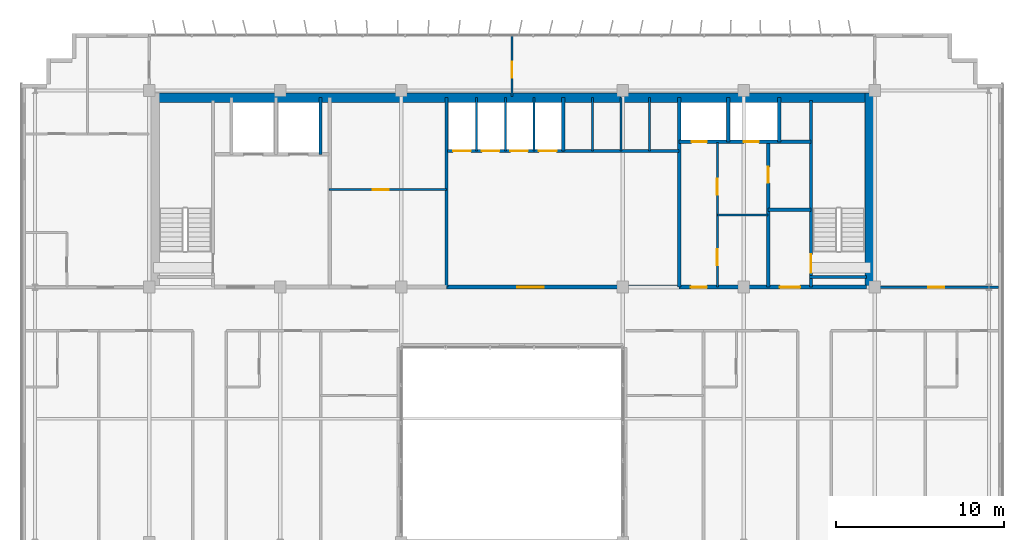
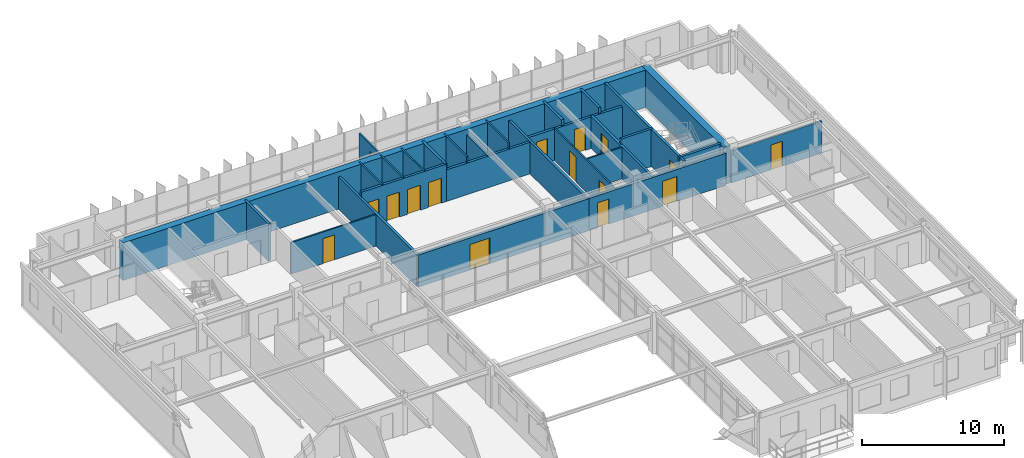
# One storey, part 34 of 37: 28 walls, 16 doors, 16 openings.
"""IFC4 building model written with IfcOpenShell, lengths in metres."""

from ifc_helpers import new_model, si_unit, direction, frame, frame_2d, origin, place, context, subcontext, project, spatial, rectangle, extrude, source, transform, mapped, material, layer, layer_set, type_object, element, fill, save


model = new_model("IFC4")

# Units and contexts
model_context = context("Model", 3, precision=1e-05, world=origin(), true_north=direction((0.0, 1.0)))
body_context = subcontext(model_context, "Body", "Model", "MODEL_VIEW")
ifc_project = project(units=[si_unit("LENGTHUNIT", "METRE"), si_unit("AREAUNIT", "SQUARE_METRE"), si_unit("VOLUMEUNIT", "CUBIC_METRE"), si_unit("PLANEANGLEUNIT", "RADIAN"), si_unit("MASSUNIT", "GRAM", prefix="KILO")], contexts=[model_context])

# Site, building, storey
site_placement = place(None, origin())
site = spatial("IfcSite", under=ifc_project, at=site_placement, CompositionType="ELEMENT")
building_placement = place(site_placement, origin())
building = spatial("IfcBuilding", under=site, at=building_placement, Name="Trelvane Seafront Commons", CompositionType="ELEMENT")
storey_placement = place(building_placement, frame((0.0, 0.0, 201.300048828125)))
storey = spatial("IfcBuildingStorey", under=building, at=storey_placement, Name="L52", CompositionType="ELEMENT", Elevation=201.300048828125)

# Wall, opening, door
ifc_material_1 = material(Name="Concrete C40/50", Category="concrete")
ifc_layer_1 = layer(ifc_material_1, 0.199951171875, Name="ARCH-WALL-FIRE200")
ifc_layer_set_1 = layer_set([ifc_layer_1], Name="Concrete C40/50")
wall_type_1 = type_object("IfcWallType", Name="ARCH-WALL-FIRE200", PredefinedType="PARTITIONING", material=ifc_layer_set_1)
wall_1_placement = place(storey_placement, frame((52.449951171875, 33.39990234375, 0.0), z_axis=(0.0, 0.0, 1.0), x_axis=(0.0, 1.0, 0.0)))
wall_1 = element("IfcWall", 1, at=wall_1_placement, inside=storey, type_object=wall_type_1, Name="W-L52-ST2V-W-031", PredefinedType="PARTITIONING", context=body_context, shape_type="SweptSolid", body=[
    extrude(rectangle(XDim=8.650146484375, YDim=0.199951171875, at=frame_2d((4.3251953125, 0.0))), origin(), (0.0, 0.0, 1.0), 2.77001953125),
])
opening_1_placement = place(wall_1_placement, frame((6.199951171875, 0.0, 0.0)))
opening_1 = element("IfcOpeningElement", 2, at=opening_1_placement, cuts=wall_1, Name="Opening FD-L52-15", PredefinedType="OPENING", context=body_context, shape_type="SweptSolid", body=[
    extrude(rectangle(XDim=0.949951171875, YDim=2.14990234375, at=frame_2d((0.47509765625, 1.074951171875))), frame((0.0, 0.10986328125, 0.0), z_axis=(0.0, -1.0, 0.0), x_axis=(1.0, 0.0, 0.0)), (0.0, 0.0, 1.0), 0.219970703125),
])
ifc_material_2 = material(Name="Powder-coated aluminium frame", Category="aluminium")
door_type_1 = type_object("IfcDoorType", Name="ARCH-DR-FD60-950", OperationType="NOTDEFINED", PredefinedType="DOOR", material=ifc_material_2)
shared_shape_1 = source(origin(), body_context, "Body", "SweptSolid", [
    extrude(rectangle(XDim=0.949951171875, YDim=2.14990234375, at=frame_2d((0.47509765625, 1.074951171875))), frame((0.0, 0.02490234375, 0.0), z_axis=(0.0, -1.0, 0.0), x_axis=(1.0, 0.0, 0.0)), (0.0, 0.0, 1.0), 0.050048828125),
])
door_1_placement = place(opening_1_placement, origin())
door_1 = element("IfcDoor", 3, at=door_1_placement, inside=storey, type_object=door_type_1, Name="L52 Cleaner Store Door", OperationType="SINGLE_SWING_LEFT", OverallHeight=2.14990234375, OverallWidth=0.949951171875, PredefinedType="DOOR", context=body_context, shape_type="MappedRepresentation", body=[
    mapped(shared_shape_1, transform((0.0, 0.0, 0.0), x_axis=(1.0, 0.0, 0.0), y_axis=(0.0, 1.0, 0.0), z_axis=(0.0, 0.0, 1.0), scale=1.0)),
])
fill(opening_1, door_1)

# Wall
wall_2_placement = place(storey_placement, frame((52.449951171875, 38.0, 0.0), z_axis=(0.0, 0.0, 1.0), x_axis=(1.0, 0.0, 0.0)))
element("IfcWall", 4, at=wall_2_placement, inside=storey, type_object=wall_type_1, Name="W-L52-ST2V-N-032", PredefinedType="PARTITIONING", context=body_context, shape_type="SweptSolid", body=[
    extrude(rectangle(XDim=2.550048828125, YDim=0.199951171875, at=frame_2d((1.27490234375, 0.0))), origin(), (0.0, 0.0, 1.0), 3.219970703125),
])

# Wall, opening, door
ifc_layer_2 = layer(ifc_material_1, 0.25, Name="ARCH-WALL-FIRE250")
ifc_layer_set_2 = layer_set([ifc_layer_2], Name="Concrete C40/50")
wall_type_2 = type_object("IfcWallType", Name="ARCH-WALL-FIRE250", PredefinedType="PARTITIONING", material=ifc_layer_set_2)
wall_3_placement = place(storey_placement, frame((33.300048828125, 33.39990234375, 0.0), z_axis=(0.0, 0.0, 1.0), x_axis=(1.0, 0.0, 0.0)))
wall_3 = element("IfcWall", 5, at=wall_3_placement, inside=storey, type_object=wall_type_2, Name="W-L52-CS-PAX-027", PredefinedType="PARTITIONING", context=body_context, shape_type="SweptSolid", body=[
    extrude(rectangle(XDim=13.849853515625, YDim=0.25, at=frame_2d((6.9248046875, 0.0))), origin(), (0.0, 0.0, 1.0), 2.77001953125),
])
opening_2_placement = place(wall_3_placement, frame((4.199951171875, 0.0, 0.0)))
opening_2 = element("IfcOpeningElement", 6, at=opening_2_placement, cuts=wall_3, Name="Opening FD-L52-12", PredefinedType="OPENING", context=body_context, shape_type="SweptSolid", body=[
    extrude(rectangle(XDim=1.60009765625, YDim=2.199951171875, at=frame_2d((0.800048828125, 1.10009765625))), frame((0.0, 0.135009765625, 0.0), z_axis=(0.0, -1.0, 0.0), x_axis=(1.0, 0.0, 0.0)), (0.0, 0.0, 1.0), 0.27001953125),
])
door_type_2 = type_object("IfcDoorType", Name="ARCH-DR-FD60-1600", OperationType="DOUBLE_DOOR_SINGLE_SWING", PredefinedType="DOOR", material=ifc_material_2)
shared_shape_2 = source(origin(), body_context, "Body", "SweptSolid", [
    extrude(rectangle(XDim=1.60009765625, YDim=2.199951171875, at=frame_2d((0.800048828125, 1.10009765625))), frame((0.0, 0.02490234375, 0.0), z_axis=(0.0, -1.0, 0.0), x_axis=(1.0, 0.0, 0.0)), (0.0, 0.0, 1.0), 0.050048828125),
])
door_2_placement = place(opening_2_placement, origin())
door_2 = element("IfcDoor", 7, at=door_2_placement, inside=storey, type_object=door_type_2, Name="L52 Passenger Lift Lobby Double Door", OperationType="DOUBLE_DOOR_SINGLE_SWING", OverallHeight=2.199951171875, OverallWidth=1.60009765625, PredefinedType="DOOR", context=body_context, shape_type="MappedRepresentation", body=[
    mapped(shared_shape_2, transform((0.0, 0.0, 0.0), x_axis=(1.0, 0.0, 0.0), y_axis=(0.0, 1.0, 0.0), z_axis=(0.0, 0.0, 1.0), scale=1.0)),
])
fill(opening_2, door_2)

# Wall, openings, doors
wall_4_placement = place(storey_placement, frame((47.14990234375, 33.39990234375, 0.0), z_axis=(0.0, 0.0, 1.0), x_axis=(1.0, 0.0, 0.0)))
wall_4 = element("IfcWall", 8, at=wall_4_placement, inside=storey, type_object=wall_type_2, Name="W-L52-CS-EAST-035", PredefinedType="PARTITIONING", context=body_context, shape_type="SweptSolid", body=[
    extrude(rectangle(XDim=11.150146484375, YDim=0.25, at=frame_2d((5.5751953125, 0.0))), origin(), (0.0, 0.0, 1.0), 2.77001953125),
])
opening_3_placement = place(wall_4_placement, frame((0.699951171875, 0.0, 0.0)))
opening_3 = element("IfcOpeningElement", 9, at=opening_3_placement, cuts=wall_4, Name="Opening FD-L52-18", PredefinedType="OPENING", context=body_context, shape_type="SweptSolid", body=[
    extrude(rectangle(XDim=0.949951171875, YDim=2.14990234375, at=frame_2d((0.47509765625, 1.074951171875))), frame((0.0, 0.135009765625, 0.0), z_axis=(0.0, -1.0, 0.0), x_axis=(1.0, 0.0, 0.0)), (0.0, 0.0, 1.0), 0.27001953125),
])
opening_4_placement = place(wall_4_placement, frame((6.0, 0.0, 0.0)))
opening_4 = element("IfcOpeningElement", 10, at=opening_4_placement, cuts=wall_4, Name="Opening FD-L52-19", PredefinedType="OPENING", context=body_context, shape_type="SweptSolid", body=[
    extrude(rectangle(XDim=1.199951171875, YDim=2.14990234375, at=frame_2d((0.60009765625, 1.074951171875))), frame((0.0, 0.135009765625, 0.0), z_axis=(0.0, -1.0, 0.0), x_axis=(1.0, 0.0, 0.0)), (0.0, 0.0, 1.0), 0.27001953125),
])
door_3_placement = place(opening_3_placement, origin())
door_3 = element("IfcDoor", 11, at=door_3_placement, inside=storey, type_object=door_type_1, Name="L52 Core Service Lobby Door", OperationType="SINGLE_SWING_RIGHT", OverallHeight=2.14990234375, OverallWidth=0.949951171875, PredefinedType="DOOR", context=body_context, shape_type="MappedRepresentation", body=[
    mapped(shared_shape_1, transform((0.0, 0.0, 0.0), x_axis=(1.0, 0.0, 0.0), y_axis=(0.0, 1.0, 0.0), z_axis=(0.0, 0.0, 1.0), scale=1.0)),
])
fill(opening_3, door_3)
door_type_3 = type_object("IfcDoorType", Name="ARCH-DR-FD60-1200", OperationType="NOTDEFINED", PredefinedType="DOOR", material=ifc_material_2)
shared_shape_3 = source(origin(), body_context, "Body", "SweptSolid", [
    extrude(rectangle(XDim=1.199951171875, YDim=2.14990234375, at=frame_2d((0.60009765625, 1.074951171875))), frame((0.0, 0.02490234375, 0.0), z_axis=(0.0, -1.0, 0.0), x_axis=(1.0, 0.0, 0.0)), (0.0, 0.0, 1.0), 0.050048828125),
])
door_4_placement = place(opening_4_placement, origin())
door_4 = element("IfcDoor", 12, at=door_4_placement, inside=storey, type_object=door_type_3, Name="L52 East Stair Vestibule Fire Door", OperationType="SINGLE_SWING_LEFT", OverallHeight=2.14990234375, OverallWidth=1.199951171875, PredefinedType="DOOR", context=body_context, shape_type="MappedRepresentation", body=[
    mapped(shared_shape_3, transform((0.0, 0.0, 0.0), x_axis=(1.0, 0.0, 0.0), y_axis=(0.0, 1.0, 0.0), z_axis=(0.0, 0.0, 1.0), scale=1.0)),
])
fill(opening_4, door_4)

# Wall, opening, door
ifc_material_3 = material(Name="Gypsum Drywall Acoustic Partition")
ifc_layer_3 = layer(ifc_material_3, 0.1201171875, Name="ARCH-WALL-PART120")
ifc_layer_set_3 = layer_set([ifc_layer_3], Name="Gypsum Drywall Acoustic Partition")
wall_type_3 = type_object("IfcWallType", Name="ARCH-WALL-PART120", PredefinedType="PARTITIONING", material=ifc_layer_set_3)
wall_5_placement = place(storey_placement, frame((26.300048828125, 39.199951171875, 0.0), z_axis=(0.0, 0.0, 1.0), x_axis=(1.0, 0.0, 0.0)))
wall_5 = element("IfcWall", 13, at=wall_5_placement, inside=storey, type_object=wall_type_3, Name="W-L52-FREED-PL-MID-014", PredefinedType="PARTITIONING", context=body_context, shape_type="SweptSolid", body=[
    extrude(rectangle(XDim=7.0, YDim=0.1201171875, at=frame_2d((3.5, 0.0))), origin(), (0.0, 0.0, 1.0), 2.719970703125),
])
opening_5_placement = place(wall_5_placement, frame((2.60009765625, 0.0, 0.0)))
opening_5 = element("IfcOpeningElement", 14, at=opening_5_placement, cuts=wall_5, Name="Opening D-L52-06", PredefinedType="OPENING", context=body_context, shape_type="SweptSolid", body=[
    extrude(rectangle(XDim=0.949951171875, YDim=2.14990234375, at=frame_2d((0.47509765625, 1.074951171875))), frame((0.0, 0.070068359375, 0.0), z_axis=(0.0, -1.0, 0.0), x_axis=(1.0, 0.0, 0.0)), (0.0, 0.0, 1.0), 0.14013671875),
])
ifc_material_4 = material(Name="Acoustic timber door leaf", Category="wood")
door_type_4 = type_object("IfcDoorType", Name="ARCH-DR-INT950", OperationType="NOTDEFINED", PredefinedType="DOOR", material=ifc_material_4)
door_5_placement = place(opening_5_placement, origin())
door_5 = element("IfcDoor", 15, at=door_5_placement, inside=storey, type_object=door_type_4, Name="L52 Housekeeping Store Door", OperationType="SINGLE_SWING_RIGHT", OverallHeight=2.14990234375, OverallWidth=0.949951171875, PredefinedType="DOOR", context=body_context, shape_type="MappedRepresentation", body=[
    mapped(shared_shape_1, transform((0.0, 0.0, 0.0), x_axis=(1.0, 0.0, 0.0), y_axis=(0.0, 1.0, 0.0), z_axis=(0.0, 0.0, 1.0), scale=1.0)),
])
fill(opening_5, door_5)

# Walls
for number, where, z_axis, x_axis, name in (
    (16, (35.10009765625, 41.5, 0.0), (0.0, 0.0, 1.0), (0.0, 1.0, 0.0), "W-L52-PM-DIV1-017"),
    (17, (36.800048828125, 41.5, 0.0), (0.0, 0.0, 1.0), (0.0, 1.0, 0.0), "W-L52-PM-DIV2-018"),
    (18, (38.5, 41.5, 0.0), (0.0, 0.0, 1.0), (0.0, 1.0, 0.0), "W-L52-PM-DIV3-019"),
    (19, (42.0, 41.5, 0.0), (0.0, 0.0, 1.0), (0.0, 1.0, 0.0), "W-L52-PH-DIV1-022"),
):
    element("IfcWall", number, at=place(storey_placement, frame(where, z_axis=z_axis, x_axis=x_axis)), inside=storey, type_object=wall_type_3, Name=name, PredefinedType="PARTITIONING", context=body_context, shape_type="SweptSolid", body=[
        extrude(rectangle(XDim=3.199951171875, YDim=0.1201171875, at=frame_2d((1.60009765625, 0.0))), origin(), (0.0, 0.0, 1.0), 3.219970703125),
    ])
wall_6_placement = place(storey_placement, frame((43.699951171875, 41.5, 0.0), z_axis=(0.0, 0.0, 1.0), x_axis=(0.0, 1.0, 0.0)))
element("IfcWall", 20, at=wall_6_placement, inside=storey, type_object=wall_type_3, Name="W-L52-PH-DIV2-023", PredefinedType="PARTITIONING", context=body_context, shape_type="SweptSolid", body=[
    extrude(rectangle(XDim=3.199951171875, YDim=0.1201171875, at=frame_2d((1.60009765625, 0.0))), origin(), (0.0, 0.0, 1.0), 2.719970703125),
])
wall_7_placement = place(storey_placement, frame((45.39990234375, 41.5, 0.0), z_axis=(0.0, 0.0, 1.0), x_axis=(0.0, 1.0, 0.0)))
element("IfcWall", 21, at=wall_7_placement, inside=storey, type_object=wall_type_3, Name="W-L52-PH-DIV3-024", PredefinedType="PARTITIONING", context=body_context, shape_type="SweptSolid", body=[
    extrude(rectangle(XDim=3.199951171875, YDim=0.1201171875, at=frame_2d((1.60009765625, 0.0))), origin(), (0.0, 0.0, 1.0), 3.219970703125),
])

# Wall, openings, doors
wall_8_placement = place(storey_placement, frame((49.419921875, 33.39990234375, 0.0), z_axis=(0.0, 0.0, 1.0), x_axis=(0.0, 1.0, 0.0)))
wall_8 = element("IfcWall", 22, at=wall_8_placement, inside=storey, type_object=wall_type_3, Name="W-L52-CYC0-V-033", PredefinedType="PARTITIONING", context=body_context, shape_type="SweptSolid", body=[
    extrude(rectangle(XDim=8.60009765625, YDim=0.1201171875, at=frame_2d((4.300048828125, 0.0))), origin(), (0.0, 0.0, 1.0), 2.77001953125),
])
opening_6_placement = place(wall_8_placement, frame((1.300048828125, 0.0, 0.0)))
opening_6 = element("IfcOpeningElement", 23, at=opening_6_placement, cuts=wall_8, Name="Opening D-L52-16", PredefinedType="OPENING", context=body_context, shape_type="SweptSolid", body=[
    extrude(rectangle(XDim=0.949951171875, YDim=2.14990234375, at=frame_2d((0.47509765625, 1.074951171875))), frame((0.0, 0.070068359375, 0.0), z_axis=(0.0, -1.0, 0.0), x_axis=(1.0, 0.0, 0.0)), (0.0, 0.0, 1.0), 0.14013671875),
])
opening_7_placement = place(wall_8_placement, frame((5.5, 0.0, 0.0)))
opening_7 = element("IfcOpeningElement", 24, at=opening_7_placement, cuts=wall_8, Name="Opening D-L52-17", PredefinedType="OPENING", context=body_context, shape_type="SweptSolid", body=[
    extrude(rectangle(XDim=0.949951171875, YDim=2.14990234375, at=frame_2d((0.47509765625, 1.074951171875))), frame((0.0, 0.070068359375, 0.0), z_axis=(0.0, -1.0, 0.0), x_axis=(1.0, 0.0, 0.0)), (0.0, 0.0, 1.0), 0.14013671875),
])
door_6_placement = place(opening_6_placement, origin())
door_6 = element("IfcDoor", 25, at=door_6_placement, inside=storey, type_object=door_type_4, Name="L52 Accessible WC Door", OperationType="SINGLE_SWING_RIGHT", OverallHeight=2.14990234375, OverallWidth=0.949951171875, PredefinedType="DOOR", context=body_context, shape_type="MappedRepresentation", body=[
    mapped(shared_shape_1, transform((0.0, 0.0, 0.0), x_axis=(1.0, 0.0, 0.0), y_axis=(0.0, 1.0, 0.0), z_axis=(0.0, 0.0, 1.0), scale=1.0)),
])
fill(opening_6, door_6)
door_7_placement = place(opening_7_placement, origin())
door_7 = element("IfcDoor", 26, at=door_7_placement, inside=storey, type_object=door_type_4, Name="L52 Common WC Door", OperationType="SINGLE_SWING_LEFT", OverallHeight=2.14990234375, OverallWidth=0.949951171875, PredefinedType="DOOR", context=body_context, shape_type="MappedRepresentation", body=[
    mapped(shared_shape_1, transform((0.0, 0.0, 0.0), x_axis=(1.0, 0.0, 0.0), y_axis=(0.0, 1.0, 0.0), z_axis=(0.0, 0.0, 1.0), scale=1.0)),
])
fill(opening_7, door_7)

# Wall
wall_9_placement = place(storey_placement, frame((49.419921875, 37.679931640625, 0.0), z_axis=(0.0, 0.0, 1.0), x_axis=(1.0, 0.0, 0.0)))
element("IfcWall", 27, at=wall_9_placement, inside=storey, type_object=wall_type_3, Name="W-L52-CYC0-H-034", PredefinedType="PARTITIONING", context=body_context, shape_type="SweptSolid", body=[
    extrude(rectangle(XDim=3.030029296875, YDim=0.1201171875, at=frame_2d((1.51513671875, 0.0))), origin(), (0.0, 0.0, 1.0), 2.719970703125),
])

# Wall, opening, door
wall_10_placement = place(storey_placement, frame((37.199951171875, 44.75, 0.0), z_axis=(0.0, 0.0, 1.0), x_axis=(0.0, 1.0, 0.0)))
wall_10 = element("IfcWall", 28, at=wall_10_placement, inside=storey, type_object=wall_type_3, Name="W-L52-N-MID-DV-043", PredefinedType="PARTITIONING", context=body_context, shape_type="SweptSolid", body=[
    extrude(rectangle(XDim=3.610107421875, YDim=0.1201171875, at=frame_2d((1.80517578125, 0.0))), origin(), (0.0, 0.0, 1.0), 2.77001953125),
])
opening_8_placement = place(wall_10_placement, frame((1.10009765625, 0.0, 0.0)))
opening_8 = element("IfcOpeningElement", 29, at=opening_8_placement, cuts=wall_10, Name="Opening D-L52-25", PredefinedType="OPENING", context=body_context, shape_type="SweptSolid", body=[
    extrude(rectangle(XDim=0.949951171875, YDim=2.14990234375, at=frame_2d((0.47509765625, 1.074951171875))), frame((0.0, 0.070068359375, 0.0), z_axis=(0.0, -1.0, 0.0), x_axis=(1.0, 0.0, 0.0)), (0.0, 0.0, 1.0), 0.14013671875),
])
door_8_placement = place(opening_8_placement, origin())
door_8 = element("IfcDoor", 30, at=door_8_placement, inside=storey, type_object=door_type_4, Name="L52 Door 25", OperationType="SINGLE_SWING_LEFT", OverallHeight=2.14990234375, OverallWidth=0.949951171875, PredefinedType="DOOR", context=body_context, shape_type="MappedRepresentation", body=[
    mapped(shared_shape_1, transform((0.0, 0.0, 0.0), x_axis=(1.0, 0.0, 0.0), y_axis=(0.0, 1.0, 0.0), z_axis=(0.0, 0.0, 1.0), scale=1.0)),
])
fill(opening_8, door_8)

ifc_layer_4 = layer(ifc_material_3, 0.14990234375, Name="ARCH-WALL-PART150")
ifc_layer_set_4 = layer_set([ifc_layer_4], Name="Gypsum Drywall Acoustic Partition")
wall_type_4 = type_object("IfcWallType", Name="ARCH-WALL-PART150", PredefinedType="PARTITIONING", material=ifc_layer_set_4)
wall_11_placement = place(storey_placement, frame((58.800048828125, 33.39990234375, 0.0), z_axis=(0.0, 0.0, 1.0), x_axis=(1.0, 0.0, 0.0)))
wall_11 = element("IfcWall", 31, at=wall_11_placement, inside=storey, type_object=wall_type_4, Name="W-L52-NE-ENT-042", PredefinedType="PARTITIONING", context=body_context, shape_type="SweptSolid", body=[
    extrude(rectangle(XDim=7.349853515625, YDim=0.14990234375, at=frame_2d((3.6748046875, 0.0))), origin(), (0.0, 0.0, 1.0), 2.77001953125),
])
opening_9_placement = place(wall_11_placement, frame((3.19189453125, 0.0, 0.0)))
opening_9 = element("IfcOpeningElement", 32, at=opening_9_placement, cuts=wall_11, Name="Opening FD-L52-24", PredefinedType="OPENING", context=body_context, shape_type="SweptSolid", body=[
    extrude(rectangle(XDim=0.949951171875, YDim=2.14990234375, at=frame_2d((0.47509765625, 1.074951171875))), frame((0.0, 0.0849609375, 0.0), z_axis=(0.0, -1.0, 0.0), x_axis=(1.0, 0.0, 0.0)), (0.0, 0.0, 1.0), 0.169921875),
])
door_9_placement = place(opening_9_placement, origin())
door_9 = element("IfcDoor", 33, at=door_9_placement, inside=storey, type_object=door_type_1, Name="L52 NE Suite Entrance Door", OperationType="SINGLE_SWING_RIGHT", OverallHeight=2.14990234375, OverallWidth=0.949951171875, PredefinedType="DOOR", context=body_context, shape_type="MappedRepresentation", body=[
    mapped(shared_shape_1, transform((0.0, 0.0, 0.0), x_axis=(1.0, 0.0, 0.0), y_axis=(0.0, 1.0, 0.0), z_axis=(0.0, 0.0, 1.0), scale=1.0)),
])
fill(opening_9, door_9)

# Walls
ifc_layer_5 = layer(ifc_material_1, 0.199951171875, Name="ARCH-WALL-SHAFT200")
ifc_layer_set_5 = layer_set([ifc_layer_5], Name="Concrete C40/50")
wall_type_5 = type_object("IfcWallType", Name="ARCH-WALL-SHAFT200", PredefinedType="SOLIDWALL", material=ifc_layer_set_5)
wall_12_placement = place(storey_placement, frame((25.800048828125, 41.300048828125, 0.0), z_axis=(0.0, 0.0, 1.0), x_axis=(0.0, 1.0, 0.0)))
element("IfcWall", 34, at=wall_12_placement, inside=storey, type_object=wall_type_5, Name="W-L52-FFL-SH-E-011", PredefinedType="SOLIDWALL", context=body_context, shape_type="SweptSolid", body=[
    extrude(rectangle(XDim=3.39990234375, YDim=0.199951171875, at=frame_2d((1.699951171875, 0.0))), origin(), (0.0, 0.0, 1.0), 3.219970703125),
])
wall_13_placement = place(storey_placement, frame((33.300048828125, 33.39990234375, 0.0), z_axis=(0.0, 0.0, 1.0), x_axis=(0.0, 1.0, 0.0)))
element("IfcWall", 35, at=wall_13_placement, inside=storey, type_object=wall_type_5, Name="W-L52-FREED-PL-E-015", PredefinedType="SOLIDWALL", context=body_context, shape_type="SweptSolid", body=[
    extrude(rectangle(XDim=11.300048828125, YDim=0.199951171875, at=frame_2d((5.64990234375, 0.0))), origin(), (0.0, 0.0, 1.0), 2.77001953125),
])

# Wall, openings, doors
wall_14_placement = place(storey_placement, frame((33.35009765625, 41.5, 0.0), z_axis=(0.0, 0.0, 1.0), x_axis=(1.0, 0.0, 0.0)))
wall_14 = element("IfcWall", 36, at=wall_14_placement, inside=storey, type_object=wall_type_5, Name="W-L52-PM-FRONT-016", PredefinedType="SOLIDWALL", context=body_context, shape_type="SweptSolid", body=[
    extrude(rectangle(XDim=6.89990234375, YDim=0.199951171875, at=frame_2d((3.449951171875, 0.0))), origin(), (0.0, 0.0, 1.0), 3.219970703125),
])
opening_10_placement = place(wall_14_placement, frame((0.35009765625, 0.0, 0.0)))
opening_10 = element("IfcOpeningElement", 37, at=opening_10_placement, cuts=wall_14, Name="Opening LD-PM1-L52", PredefinedType="OPENING", context=body_context, shape_type="SweptSolid", body=[
    extrude(rectangle(XDim=1.050048828125, YDim=2.14990234375, at=frame_2d((0.52490234375, 1.074951171875))), frame((0.0, 0.10986328125, 0.0), z_axis=(0.0, -1.0, 0.0), x_axis=(1.0, 0.0, 0.0)), (0.0, 0.0, 1.0), 0.219970703125),
])
opening_11_placement = place(wall_14_placement, frame((2.050048828125, 0.0, 0.0)))
opening_11 = element("IfcOpeningElement", 38, at=opening_11_placement, cuts=wall_14, Name="Opening LD-PM2-L52", PredefinedType="OPENING", context=body_context, shape_type="SweptSolid", body=[
    extrude(rectangle(XDim=1.050048828125, YDim=2.14990234375, at=frame_2d((0.52490234375, 1.074951171875))), frame((0.0, 0.10986328125, 0.0), z_axis=(0.0, -1.0, 0.0), x_axis=(1.0, 0.0, 0.0)), (0.0, 0.0, 1.0), 0.219970703125),
])
opening_12_placement = place(wall_14_placement, frame((3.75, 0.0, 0.0)))
opening_12 = element("IfcOpeningElement", 39, at=opening_12_placement, cuts=wall_14, Name="Opening LD-PM3-L52", PredefinedType="OPENING", context=body_context, shape_type="SweptSolid", body=[
    extrude(rectangle(XDim=1.050048828125, YDim=2.14990234375, at=frame_2d((0.52490234375, 1.074951171875))), frame((0.0, 0.10986328125, 0.0), z_axis=(0.0, -1.0, 0.0), x_axis=(1.0, 0.0, 0.0)), (0.0, 0.0, 1.0), 0.219970703125),
])
opening_13_placement = place(wall_14_placement, frame((5.449951171875, 0.0, 0.0)))
opening_13 = element("IfcOpeningElement", 40, at=opening_13_placement, cuts=wall_14, Name="Opening LD-PM4-L52", PredefinedType="OPENING", context=body_context, shape_type="SweptSolid", body=[
    extrude(rectangle(XDim=1.050048828125, YDim=2.14990234375, at=frame_2d((0.52490234375, 1.074951171875))), frame((0.0, 0.10986328125, 0.0), z_axis=(0.0, -1.0, 0.0), x_axis=(1.0, 0.0, 0.0)), (0.0, 0.0, 1.0), 0.219970703125),
])
ifc_material_5 = material(Name="Stainless steel balustrade", Category="steel")
door_type_5 = type_object("IfcDoorType", Name="ARCH-DR-LD1050", OperationType="DOUBLE_DOOR_SLIDING", PredefinedType="DOOR", material=ifc_material_5)
shared_shape_4 = source(origin(), body_context, "Body", "SweptSolid", [
    extrude(rectangle(XDim=1.050048828125, YDim=2.14990234375, at=frame_2d((0.52490234375, 1.074951171875))), frame((0.0, 0.02490234375, 0.0), z_axis=(0.0, -1.0, 0.0), x_axis=(1.0, 0.0, 0.0)), (0.0, 0.0, 1.0), 0.050048828125),
])
door_10_placement = place(opening_10_placement, origin())
door_10 = element("IfcDoor", 41, at=door_10_placement, inside=storey, type_object=door_type_5, Name="L52 Passenger Lift PM-1 Landing Door", OperationType="DOUBLE_DOOR_SLIDING", OverallHeight=2.14990234375, OverallWidth=1.050048828125, PredefinedType="DOOR", context=body_context, shape_type="MappedRepresentation", body=[
    mapped(shared_shape_4, transform((0.0, 0.0, 0.0), x_axis=(1.0, 0.0, 0.0), y_axis=(0.0, 1.0, 0.0), z_axis=(0.0, 0.0, 1.0), scale=1.0)),
])
fill(opening_10, door_10)
door_11_placement = place(opening_11_placement, origin())
door_11 = element("IfcDoor", 42, at=door_11_placement, inside=storey, type_object=door_type_5, Name="L52 Passenger Lift PM-2 Landing Door", OperationType="DOUBLE_DOOR_SLIDING", OverallHeight=2.14990234375, OverallWidth=1.050048828125, PredefinedType="DOOR", context=body_context, shape_type="MappedRepresentation", body=[
    mapped(shared_shape_4, transform((0.0, 0.0, 0.0), x_axis=(1.0, 0.0, 0.0), y_axis=(0.0, 1.0, 0.0), z_axis=(0.0, 0.0, 1.0), scale=1.0)),
])
fill(opening_11, door_11)
door_12_placement = place(opening_12_placement, origin())
door_12 = element("IfcDoor", 43, at=door_12_placement, inside=storey, type_object=door_type_5, Name="L52 Passenger Lift PM-3 Landing Door", OperationType="DOUBLE_DOOR_SLIDING", OverallHeight=2.14990234375, OverallWidth=1.050048828125, PredefinedType="DOOR", context=body_context, shape_type="MappedRepresentation", body=[
    mapped(shared_shape_4, transform((0.0, 0.0, 0.0), x_axis=(1.0, 0.0, 0.0), y_axis=(0.0, 1.0, 0.0), z_axis=(0.0, 0.0, 1.0), scale=1.0)),
])
fill(opening_12, door_12)
door_13_placement = place(opening_13_placement, origin())
door_13 = element("IfcDoor", 44, at=door_13_placement, inside=storey, type_object=door_type_5, Name="L52 Passenger Lift PM-4 Landing Door", OperationType="DOUBLE_DOOR_SLIDING", OverallHeight=2.14990234375, OverallWidth=1.050048828125, PredefinedType="DOOR", context=body_context, shape_type="MappedRepresentation", body=[
    mapped(shared_shape_4, transform((0.0, 0.0, 0.0), x_axis=(1.0, 0.0, 0.0), y_axis=(0.0, 1.0, 0.0), z_axis=(0.0, 0.0, 1.0), scale=1.0)),
])
fill(opening_13, door_13)

# Walls
wall_15_placement = place(storey_placement, frame((40.25, 41.5, 0.0), z_axis=(0.0, 0.0, 1.0), x_axis=(1.0, 0.0, 0.0)))
element("IfcWall", 45, at=wall_15_placement, inside=storey, type_object=wall_type_5, Name="W-L52-PH-FRONT-020", PredefinedType="SOLIDWALL", context=body_context, shape_type="SweptSolid", body=[
    extrude(rectangle(XDim=6.89990234375, YDim=0.199951171875, at=frame_2d((3.449951171875, 0.0))), origin(), (0.0, 0.0, 1.0), 2.719970703125),
])
wall_16_placement = place(storey_placement, frame((40.25, 41.5, 0.0), z_axis=(0.0, 0.0, 1.0), x_axis=(0.0, 1.0, 0.0)))
element("IfcWall", 46, at=wall_16_placement, inside=storey, type_object=wall_type_5, Name="W-L52-PH-WEST-SH-021", PredefinedType="SOLIDWALL", context=body_context, shape_type="SweptSolid", body=[
    extrude(rectangle(XDim=3.199951171875, YDim=0.199951171875, at=frame_2d((1.60009765625, 0.0))), origin(), (0.0, 0.0, 1.0), 3.219970703125),
])
wall_17_placement = place(storey_placement, frame((47.14990234375, 33.39990234375, 0.0), z_axis=(0.0, 0.0, 1.0), x_axis=(0.0, 1.0, 0.0)))
element("IfcWall", 47, at=wall_17_placement, inside=storey, type_object=wall_type_5, Name="W-L52-PH-EAST-025", PredefinedType="SOLIDWALL", context=body_context, shape_type="SweptSolid", body=[
    extrude(rectangle(XDim=11.300048828125, YDim=0.199951171875, at=frame_2d((5.64990234375, 0.0))), origin(), (0.0, 0.0, 1.0), 2.77001953125),
])

# Wall, openings, doors
wall_18_placement = place(storey_placement, frame((47.14990234375, 42.050048828125, 0.0), z_axis=(0.0, 0.0, 1.0), x_axis=(1.0, 0.0, 0.0)))
wall_18 = element("IfcWall", 48, at=wall_18_placement, inside=storey, type_object=wall_type_5, Name="W-L52-RSR-S-028", PredefinedType="SOLIDWALL", context=body_context, shape_type="SweptSolid", body=[
    extrude(rectangle(XDim=7.85009765625, YDim=0.199951171875, at=frame_2d((3.925048828125, 0.0))), origin(), (0.0, 0.0, 1.0), 2.719970703125),
])
opening_14_placement = place(wall_18_placement, frame((0.75, 0.0, 0.0)))
opening_14 = element("IfcOpeningElement", 49, at=opening_14_placement, cuts=wall_18, Name="Opening FD-L52-13", PredefinedType="OPENING", context=body_context, shape_type="SweptSolid", body=[
    extrude(rectangle(XDim=0.89990234375, YDim=2.10009765625, at=frame_2d((0.449951171875, 1.050048828125))), frame((0.0, 0.10986328125, 0.0), z_axis=(0.0, -1.0, 0.0), x_axis=(1.0, 0.0, 0.0)), (0.0, 0.0, 1.0), 0.219970703125),
])
opening_15_placement = place(wall_18_placement, frame((3.85009765625, 0.0, 0.0)))
opening_15 = element("IfcOpeningElement", 50, at=opening_15_placement, cuts=wall_18, Name="Opening FD-L52-14", PredefinedType="OPENING", context=body_context, shape_type="SweptSolid", body=[
    extrude(rectangle(XDim=0.89990234375, YDim=2.10009765625, at=frame_2d((0.449951171875, 1.050048828125))), frame((0.0, 0.10986328125, 0.0), z_axis=(0.0, -1.0, 0.0), x_axis=(1.0, 0.0, 0.0)), (0.0, 0.0, 1.0), 0.219970703125),
])
door_type_6 = type_object("IfcDoorType", Name="ARCH-DR-FD60-900", OperationType="NOTDEFINED", PredefinedType="DOOR", material=ifc_material_2)
shared_shape_5 = source(origin(), body_context, "Body", "SweptSolid", [
    extrude(rectangle(XDim=0.89990234375, YDim=2.10009765625, at=frame_2d((0.449951171875, 1.050048828125))), frame((0.0, 0.02490234375, 0.0), z_axis=(0.0, -1.0, 0.0), x_axis=(1.0, 0.0, 0.0)), (0.0, 0.0, 1.0), 0.050048828125),
])
door_14_placement = place(opening_14_placement, origin())
door_14 = element("IfcDoor", 51, at=door_14_placement, inside=storey, type_object=door_type_6, Name="L52 Electrical Riser Access Door", OperationType="SINGLE_SWING_LEFT", OverallHeight=2.10009765625, OverallWidth=0.89990234375, PredefinedType="DOOR", context=body_context, shape_type="MappedRepresentation", body=[
    mapped(shared_shape_5, transform((0.0, 0.0, 0.0), x_axis=(1.0, 0.0, 0.0), y_axis=(0.0, 1.0, 0.0), z_axis=(0.0, 0.0, 1.0), scale=1.0)),
])
fill(opening_14, door_14)
door_15_placement = place(opening_15_placement, origin())
door_15 = element("IfcDoor", 52, at=door_15_placement, inside=storey, type_object=door_type_6, Name="L52 Mechanical Riser Access Door", OperationType="SINGLE_SWING_RIGHT", OverallHeight=2.10009765625, OverallWidth=0.89990234375, PredefinedType="DOOR", context=body_context, shape_type="MappedRepresentation", body=[
    mapped(shared_shape_5, transform((0.0, 0.0, 0.0), x_axis=(1.0, 0.0, 0.0), y_axis=(0.0, 1.0, 0.0), z_axis=(0.0, 0.0, 1.0), scale=1.0)),
])
fill(opening_15, door_15)

# Walls
for number, where, z_axis, x_axis, name in (
    (53, (50.080078125, 42.050048828125, 0.0), (0.0, 0.0, 1.0), (0.0, 1.0, 0.0), "W-L52-RSR-DIV-029"),
    (54, (53.10009765625, 42.050048828125, 0.0), (0.0, 0.0, 1.0), (0.0, 1.0, 0.0), "W-L52-RSR-E-030"),
):
    element("IfcWall", number, at=place(storey_placement, frame(where, z_axis=z_axis, x_axis=x_axis)), inside=storey, type_object=wall_type_5, Name=name, PredefinedType="SOLIDWALL", context=body_context, shape_type="SweptSolid", body=[
        extrude(rectangle(XDim=2.64990234375, YDim=0.199951171875, at=frame_2d((1.324951171875, 0.0))), origin(), (0.0, 0.0, 1.0), 3.219970703125),
    ])
ifc_material_6 = material(Name="Concrete C50/60", Category="concrete")
ifc_layer_6 = layer(ifc_material_6, 0.550048828125, Name="STR-WALL-CORE550")
ifc_layer_set_6 = layer_set([ifc_layer_6], Name="Concrete C50/60")
wall_type_6 = type_object("IfcWallType", Name="STR-WALL-CORE550", PredefinedType="SHEAR", material=ifc_layer_set_6)
wall_19_placement = place(storey_placement, frame((15.64990234375, 44.675048828125, 0.0), z_axis=(0.0, 0.0, 1.0), x_axis=(1.0, 0.0, 0.0)))
element("IfcWall", 55, at=wall_19_placement, inside=storey, type_object=wall_type_6, Name="W-L52-CN-ALL-001", PredefinedType="SHEAR", context=body_context, shape_type="SweptSolid", body=[
    extrude(rectangle(XDim=43.10009765625, YDim=0.550048828125, at=frame_2d((21.550048828125, 0.0))), origin(), (0.0, 0.0, 1.0), 3.219970703125),
])
wall_20_placement = place(storey_placement, frame((58.47509765625, 33.39990234375, 0.0), z_axis=(0.0, 0.0, 1.0), x_axis=(0.0, 1.0, 0.0)))
element("IfcWall", 56, at=wall_20_placement, inside=storey, type_object=wall_type_6, Name="W-L52-CE-END-003", PredefinedType="SHEAR", context=body_context, shape_type="SweptSolid", body=[
    extrude(rectangle(XDim=11.550048828125, YDim=0.550048828125, at=frame_2d((5.77490234375, 0.0))), origin(), (0.0, 0.0, 1.0), 3.219970703125),
])
ifc_layer_7 = layer(ifc_material_6, 0.199951171875, Name="STR-WALL-STAIR200")
ifc_layer_set_7 = layer_set([ifc_layer_7], Name="Concrete C50/60")
wall_type_7 = type_object("IfcWallType", Name="STR-WALL-STAIR200", PredefinedType="SHEAR", material=ifc_layer_set_7)
wall_21_placement = place(storey_placement, frame((54.89990234375, 34.0, 0.0), z_axis=(0.0, 0.0, 1.0), x_axis=(1.0, 0.0, 0.0)))
element("IfcWall", 57, at=wall_21_placement, inside=storey, type_object=wall_type_7, Name="W-L52-ST2-S-006", PredefinedType="SHEAR", context=body_context, shape_type="SweptSolid", body=[
    extrude(rectangle(XDim=3.400146484375, YDim=0.199951171875, at=frame_2d((1.7001953125, 0.0))), origin(), (0.0, 0.0, 1.0), 3.219970703125),
])

# Wall, opening, door
wall_22_placement = place(storey_placement, frame((55.0, 33.39990234375, 0.0), z_axis=(0.0, 0.0, 1.0), x_axis=(0.0, 1.0, 0.0)))
wall_22 = element("IfcWall", 58, at=wall_22_placement, inside=storey, type_object=wall_type_7, Name="W-L52-ST2-W-007", PredefinedType="SHEAR", context=body_context, shape_type="SweptSolid", body=[
    extrude(rectangle(XDim=11.10009765625, YDim=0.199951171875, at=frame_2d((5.550048828125, 0.0))), origin(), (0.0, 0.0, 1.0), 3.219970703125),
])
opening_16_placement = place(wall_22_placement, frame((0.85009765625, 0.0, 0.0)))
opening_16 = element("IfcOpeningElement", 59, at=opening_16_placement, cuts=wall_22, Name="Opening ST-D2-L52", PredefinedType="OPENING", context=body_context, shape_type="SweptSolid", body=[
    extrude(rectangle(XDim=1.10009765625, YDim=2.14990234375, at=frame_2d((0.550048828125, 1.074951171875))), frame((0.0, 0.10986328125, 0.0), z_axis=(0.0, -1.0, 0.0), x_axis=(1.0, 0.0, 0.0)), (0.0, 0.0, 1.0), 0.219970703125),
])
door_type_7 = type_object("IfcDoorType", Name="ARCH-DR-FD90-1100", OperationType="NOTDEFINED", PredefinedType="DOOR", material=ifc_material_2)
shared_shape_6 = source(origin(), body_context, "Body", "SweptSolid", [
    extrude(rectangle(XDim=1.10009765625, YDim=2.14990234375, at=frame_2d((0.550048828125, 1.074951171875))), frame((0.0, 0.02490234375, 0.0), z_axis=(0.0, -1.0, 0.0), x_axis=(1.0, 0.0, 0.0)), (0.0, 0.0, 1.0), 0.050048828125),
])
door_16_placement = place(opening_16_placement, origin())
door_16 = element("IfcDoor", 60, at=door_16_placement, inside=storey, type_object=door_type_7, Name="L52 Stair ST-2 Vestibule Fire Door", OperationType="SINGLE_SWING_RIGHT", OverallHeight=2.14990234375, OverallWidth=1.10009765625, PredefinedType="DOOR", context=body_context, shape_type="MappedRepresentation", body=[
    mapped(shared_shape_6, transform((0.0, 0.0, 0.0), x_axis=(1.0, 0.0, 0.0), y_axis=(0.0, 1.0, 0.0), z_axis=(0.0, 0.0, 1.0), scale=1.0)),
])
fill(opening_16, door_16)

save(model, "model.ifc")
